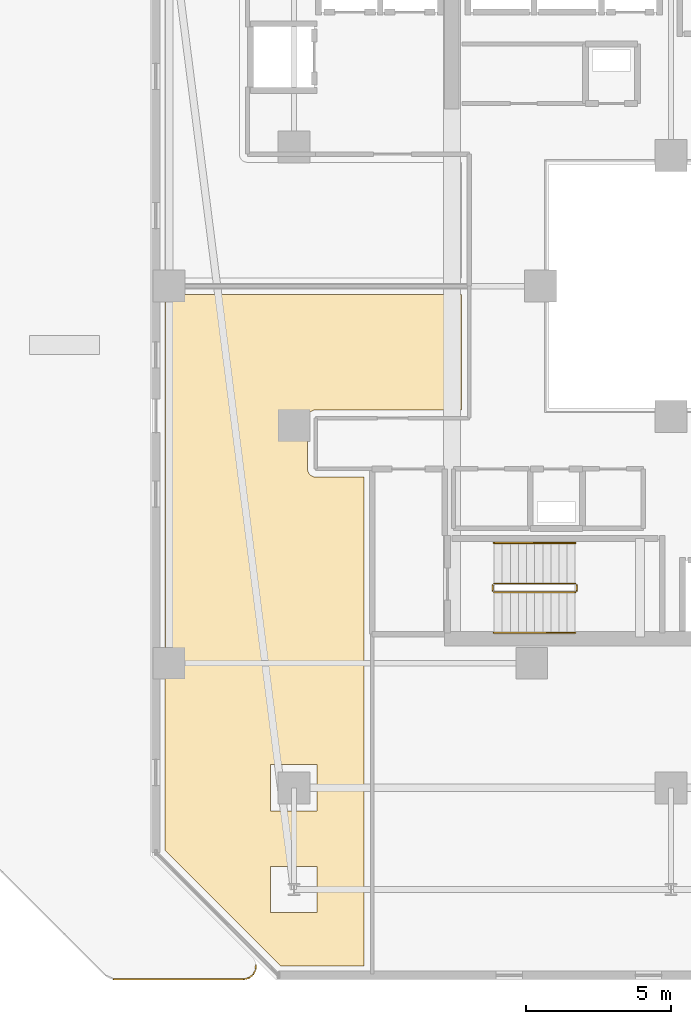
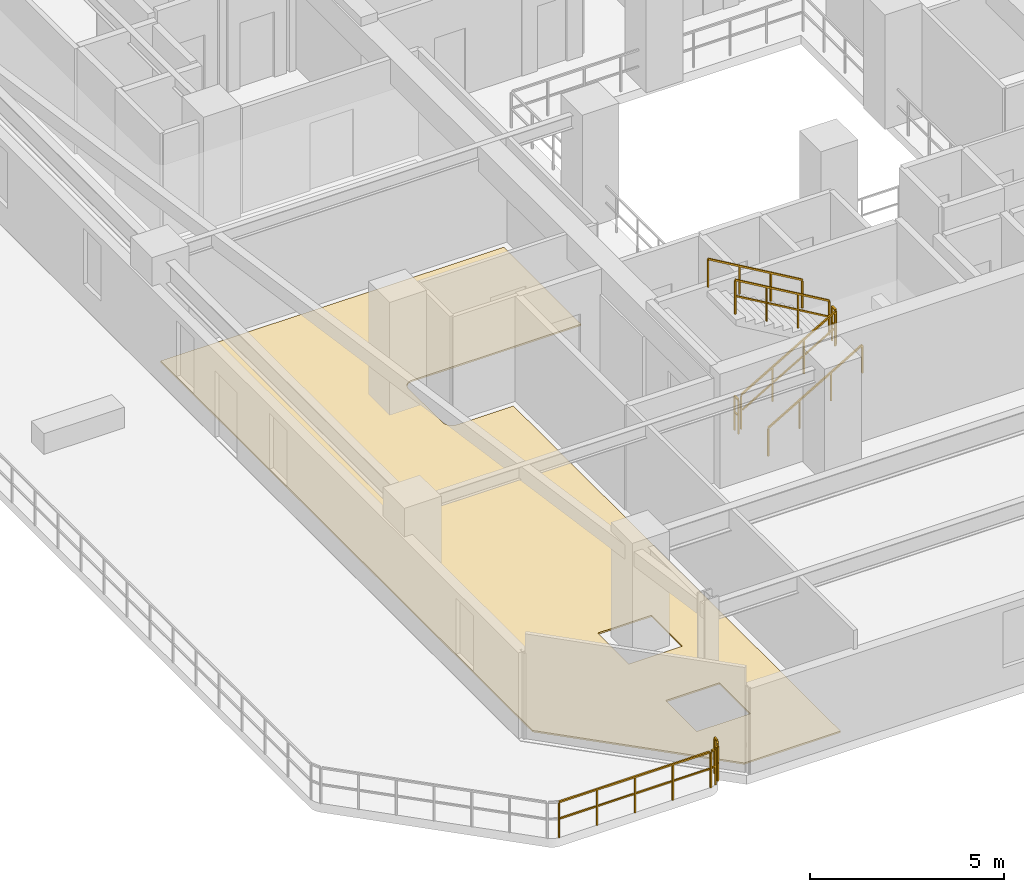
# One storey, part 26 of 30: 7 railings, 1 covering.
"""IFC4 building model written with IfcOpenShell, lengths in metres."""

from ifc_helpers import new_model, si_unit, direction, frame, origin, origin_2d, place, context, subcontext, project, spatial, polyline, rectangle, outline, extrude, material, layer, layer_set, type_object, element, save


model = new_model("IFC4")

# Units and contexts
model_context = context("Model", 3, precision=1e-05, world=origin(), true_north=direction((0.0, 1.0)))
body_context = subcontext(model_context, "Body", "Model", "MODEL_VIEW")
ifc_project = project(units=[si_unit("LENGTHUNIT", "METRE"), si_unit("AREAUNIT", "SQUARE_METRE"), si_unit("VOLUMEUNIT", "CUBIC_METRE"), si_unit("PLANEANGLEUNIT", "RADIAN"), si_unit("MASSUNIT", "GRAM", prefix="KILO")], contexts=[model_context])

# Site, building, storey
site_placement = place(None, origin())
site = spatial("IfcSite", under=ifc_project, at=site_placement, CompositionType="ELEMENT")
building_placement = place(site_placement, origin())
building = spatial("IfcBuilding", under=site, at=building_placement, Name="Thornwick Lancets Civic Towers", CompositionType="ELEMENT")
storey_placement = place(building_placement, frame((0.0, 0.0, 149.10009765625)))
storey = spatial("IfcBuildingStorey", under=building, at=storey_placement, Name="L39", CompositionType="ELEMENT", Elevation=149.10009765625)

# Covering
ifc_material_1 = material(Name="Calcium-sulfate raised access floor panel")
ifc_layer = layer(ifc_material_1, 0.050048828125, Name="Calcium-sulfate raised access floor panel")
ifc_layer_set = layer_set([ifc_layer], Name="Calcium-sulfate raised access floor panel")
covering_type = type_object("IfcCoveringType", Name="COV_FLOOR_RAISED", PredefinedType="FLOORING", material=ifc_layer_set)
covering_placement = place(storey_placement, origin())
element("IfcCovering", 1, at=covering_placement, inside=storey, type_object=covering_type, Name="L39 Tower A Ministry Directorate Office W1 Raised Access Flooring", PredefinedType="FLOORING", context=body_context, shape_type="SweptSolid", body=[
    extrude(outline(polyline([(18.27001953125, 26.719970703125), (18.27001953125, 22.72998046875), (13.25, 22.72998046875), (13.22265625, 22.728759765625), (13.1953125, 22.724609375), (13.168701171875, 22.718017578125), (13.142822265625, 22.708740234375), (13.117919921875, 22.697021484375), (13.094482421875, 22.682861328125), (13.072509765625, 22.66650390625), (13.052001953125, 22.64794921875), (13.03369140625, 22.627685546875), (13.01708984375, 22.605712890625), (13.003173828125, 22.58203125), (12.9912109375, 22.55712890625), (12.982177734375, 22.53125), (12.975341796875, 22.504638671875), (12.97119140625, 22.477294921875), (12.969970703125, 22.449951171875), (12.969970703125, 20.699951171875), (12.97119140625, 20.672607421875), (12.975341796875, 20.6455078125), (12.982177734375, 20.61865234375), (12.9912109375, 20.5927734375), (13.003173828125, 20.568115234375), (13.01708984375, 20.54443359375), (13.03369140625, 20.5224609375), (13.052001953125, 20.501953125), (13.072509765625, 20.483642578125), (13.094482421875, 20.46728515625), (13.117919921875, 20.453125), (13.142822265625, 20.44140625), (13.168701171875, 20.43212890625), (13.1953125, 20.42529296875), (13.22265625, 20.42138671875), (13.25, 20.419921875), (14.919921875, 20.419921875), (14.919921875, 3.56005859375), (12.052490234375, 3.56005859375), (8.06005859375, 7.552490234375), (8.06005859375, 26.719970703125), (18.27001953125, 26.719970703125)]), holes=[polyline([(11.699951171875, 8.89990234375), (13.300048828125, 8.89990234375), (13.300048828125, 10.5), (11.699951171875, 10.5), (11.699951171875, 8.89990234375)]), polyline([(11.699951171875, 5.39990234375), (13.300048828125, 5.39990234375), (13.300048828125, 7.0), (11.699951171875, 7.0), (11.699951171875, 5.39990234375)])]), origin(), (0.0, 0.0, 1.0), 0.0498046875),
])

# Railings
ifc_material_2 = material(Name="Brushed stainless steel S355", Category="steel")
railing_type_1 = type_object("IfcRailingType", Name="RAIL_HANDRAIL", PredefinedType="HANDRAIL", material=ifc_material_2)
railing_1_placement = place(storey_placement, frame((19.39990234375, 15.050048828125, 0.16357421875)))
element("IfcRailing", 2, at=railing_1_placement, inside=storey, type_object=railing_type_1, Name="L39 ST-A1 stair handrail 1", PredefinedType="HANDRAIL", context=body_context, shape_type="SweptSolid", body=[
    extrude(rectangle(XDim=0.048095703125, YDim=0.048095703125, at=origin_2d()), frame((0.0, 0.0, 0.8857421875), z_axis=(0.863393664356, 0.0, 0.504530851732), x_axis=(0.0, 1.0, 0.0)), (0.0, 0.0, 1.0), 3.2431640625),
    extrude(rectangle(XDim=0.0419921875, YDim=0.0419921875, at=origin_2d()), origin(), (0.0, 0.0, 1.0), 0.855712890625),
    extrude(rectangle(XDim=0.0419921875, YDim=0.0419921875, at=origin_2d()), frame((0.933349609375, 0.0, 0.54541015625)), (0.0, 0.0, 1.0), 0.855712890625),
    extrude(rectangle(XDim=0.0419921875, YDim=0.0419921875, at=origin_2d()), frame((1.86669921875, 0.0, 1.0908203125)), (0.0, 0.0, 1.0), 0.855712890625),
    extrude(rectangle(XDim=0.0419921875, YDim=0.0419921875, at=origin_2d()), frame((2.800048828125, 0.0, 1.63623046875)), (0.0, 0.0, 1.0), 0.855712890625),
])
railing_2_placement = place(storey_placement, frame((22.199951171875, 18.14990234375, 1.963623046875)))
element("IfcRailing", 3, at=railing_2_placement, inside=storey, type_object=railing_type_1, Name="L39 ST-A1 stair handrail 2", PredefinedType="HANDRAIL", context=body_context, shape_type="SweptSolid", body=[
    extrude(rectangle(XDim=0.048095703125, YDim=0.048095703125, at=origin_2d()), frame((0.0, 0.0, 0.8857421875), z_axis=(-0.863393664356, 0.0, 0.504530851732), x_axis=(0.0, -1.0, 0.0)), (0.0, 0.0, 1.0), 3.2431640625),
    extrude(rectangle(XDim=0.0419921875, YDim=0.0419921875, at=origin_2d()), origin(), (0.0, 0.0, 1.0), 0.855712890625),
    extrude(rectangle(XDim=0.0419921875, YDim=0.0419921875, at=origin_2d()), frame((-0.933349609375, 0.0, 0.54541015625)), (0.0, 0.0, 1.0), 0.855712890625),
    extrude(rectangle(XDim=0.0419921875, YDim=0.0419921875, at=origin_2d()), frame((-1.86669921875, 0.0, 1.0908203125)), (0.0, 0.0, 1.0), 0.855712890625),
    extrude(rectangle(XDim=0.0419921875, YDim=0.0419921875, at=origin_2d()), frame((-2.800048828125, 0.0, 1.63623046875)), (0.0, 0.0, 1.0), 0.855712890625),
])
ifc_material_3 = material(Name="Steel S355JR", Category="steel")
railing_type_2 = type_object("IfcRailingType", Name="RAIL_STAIR_GUARD", PredefinedType="GUARDRAIL", material=ifc_material_3)
railing_3_placement = place(storey_placement, frame((19.39990234375, 16.449951171875, 0.16357421875)))
element("IfcRailing", 4, at=railing_3_placement, inside=storey, type_object=railing_type_2, Name="L39 ST-A1 stair guard 1", PredefinedType="GUARDRAIL", context=body_context, shape_type="SweptSolid", body=[
    extrude(rectangle(XDim=0.048095703125, YDim=0.048095703125, at=origin_2d()), frame((0.0, 0.0, 1.076171875), z_axis=(0.863393664356, 0.0, 0.504530851732), x_axis=(0.0, 1.0, 0.0)), (0.0, 0.0, 1.0), 3.2431640625),
    extrude(rectangle(XDim=0.0419921875, YDim=0.0419921875, at=origin_2d()), frame((0.032470703125, 0.0, 0.591064453125), z_axis=(0.863393664356, 0.0, 0.504530851732), x_axis=(0.0, 1.0, 0.0)), (0.0, 0.0, 1.0), 1.006103515625),
    extrude(rectangle(XDim=0.0419921875, YDim=0.0419921875, at=origin_2d()), frame((0.9658203125, 0.0, 1.136474609375), z_axis=(0.863393664356, 0.0, 0.504530851732), x_axis=(0.0, 1.0, 0.0)), (0.0, 0.0, 1.0), 1.006103515625),
    extrude(rectangle(XDim=0.0419921875, YDim=0.0419921875, at=origin_2d()), frame((1.899169921875, 0.0, 1.681884765625), z_axis=(0.863393664356, 0.0, 0.504530851732), x_axis=(0.0, 1.0, 0.0)), (0.0, 0.0, 1.0), 1.006103515625),
    extrude(rectangle(XDim=0.0419921875, YDim=0.0419921875, at=origin_2d()), origin(), (0.0, 0.0, 1.0), 1.0458984375),
    extrude(rectangle(XDim=0.0419921875, YDim=0.0419921875, at=origin_2d()), frame((0.933349609375, 0.0, 0.54541015625)), (0.0, 0.0, 1.0), 1.0458984375),
    extrude(rectangle(XDim=0.0419921875, YDim=0.0419921875, at=origin_2d()), frame((1.86669921875, 0.0, 1.0908203125)), (0.0, 0.0, 1.0), 1.0458984375),
    extrude(rectangle(XDim=0.0419921875, YDim=0.0419921875, at=origin_2d()), frame((2.800048828125, 0.0, 1.63623046875)), (0.0, 0.0, 1.0), 1.0458984375),
])
railing_4_placement = place(storey_placement, frame((22.25, 16.5, 1.7998046875)))
element("IfcRailing", 5, at=railing_4_placement, inside=storey, type_object=railing_type_2, Name="L39 ST-A1 stair guard 2", PredefinedType="GUARDRAIL", context=body_context, shape_type="SweptSolid", body=[
    extrude(rectangle(XDim=0.048095703125, YDim=0.048095703125, at=origin_2d()), frame((0.0, 0.0, 1.076171875), z_axis=(0.0, 1.0, 0.0), x_axis=(-1.0, 0.0, 0.0)), (0.0, 0.0, 1.0), 0.199951171875),
    extrude(rectangle(XDim=0.0419921875, YDim=0.0419921875, at=origin_2d()), frame((0.0, 0.03759765625, 0.572021484375), z_axis=(0.0, 1.0, 0.0), x_axis=(-1.0, 0.0, 0.0)), (0.0, 0.0, 1.0), 0.125),
    extrude(rectangle(XDim=0.0419921875, YDim=0.0419921875, at=origin_2d()), origin(), (0.0, 0.0, 1.0), 1.0458984375),
    extrude(rectangle(XDim=0.0419921875, YDim=0.0419921875, at=origin_2d()), frame((0.0, 0.199951171875, 0.0)), (0.0, 0.0, 1.0), 1.0458984375),
])
railing_5_placement = place(storey_placement, frame((22.199951171875, 16.75, 1.963623046875)))
element("IfcRailing", 6, at=railing_5_placement, inside=storey, type_object=railing_type_2, Name="L39 ST-A1 stair guard 3", PredefinedType="GUARDRAIL", context=body_context, shape_type="SweptSolid", body=[
    extrude(rectangle(XDim=0.048095703125, YDim=0.048095703125, at=origin_2d()), frame((0.0, 0.0, 1.076171875), z_axis=(-0.863393664356, 0.0, 0.504530851732), x_axis=(0.0, -1.0, 0.0)), (0.0, 0.0, 1.0), 3.2431640625),
    extrude(rectangle(XDim=0.0419921875, YDim=0.0419921875, at=origin_2d()), frame((-0.032470703125, 0.0, 0.591064453125), z_axis=(-0.863393664356, 0.0, 0.504530851732), x_axis=(0.0, -1.0, 0.0)), (0.0, 0.0, 1.0), 1.006103515625),
    extrude(rectangle(XDim=0.0419921875, YDim=0.0419921875, at=origin_2d()), frame((-0.9658203125, 0.0, 1.136474609375), z_axis=(-0.863393664356, 0.0, 0.504530851732), x_axis=(0.0, -1.0, 0.0)), (0.0, 0.0, 1.0), 1.006103515625),
    extrude(rectangle(XDim=0.0419921875, YDim=0.0419921875, at=origin_2d()), frame((-1.899169921875, 0.0, 1.681884765625), z_axis=(-0.863393664356, 0.0, 0.504530851732), x_axis=(0.0, -1.0, 0.0)), (0.0, 0.0, 1.0), 1.006103515625),
    extrude(rectangle(XDim=0.0419921875, YDim=0.0419921875, at=origin_2d()), origin(), (0.0, 0.0, 1.0), 1.0458984375),
    extrude(rectangle(XDim=0.0419921875, YDim=0.0419921875, at=origin_2d()), frame((-0.933349609375, 0.0, 0.54541015625)), (0.0, 0.0, 1.0), 1.0458984375),
    extrude(rectangle(XDim=0.0419921875, YDim=0.0419921875, at=origin_2d()), frame((-1.86669921875, 0.0, 1.0908203125)), (0.0, 0.0, 1.0), 1.0458984375),
    extrude(rectangle(XDim=0.0419921875, YDim=0.0419921875, at=origin_2d()), frame((-2.800048828125, 0.0, 1.63623046875)), (0.0, 0.0, 1.0), 1.0458984375),
])
railing_6_placement = place(storey_placement, frame((19.35009765625, 16.5, 0.0)))
element("IfcRailing", 7, at=railing_6_placement, inside=storey, type_object=railing_type_2, Name="L39 ST-A1 stair guard 4", PredefinedType="GUARDRAIL", context=body_context, shape_type="SweptSolid", body=[
    extrude(rectangle(XDim=0.048095703125, YDim=0.048095703125, at=origin_2d()), frame((0.0, 0.0, 1.076171875), z_axis=(0.0, 1.0, 0.0), x_axis=(-1.0, 0.0, 0.0)), (0.0, 0.0, 1.0), 0.199951171875),
    extrude(rectangle(XDim=0.0419921875, YDim=0.0419921875, at=origin_2d()), frame((0.0, 0.03759765625, 0.572021484375), z_axis=(0.0, 1.0, 0.0), x_axis=(-1.0, 0.0, 0.0)), (0.0, 0.0, 1.0), 0.125),
    extrude(rectangle(XDim=0.0419921875, YDim=0.0419921875, at=origin_2d()), origin(), (0.0, 0.0, 1.0), 1.0458984375),
    extrude(rectangle(XDim=0.0419921875, YDim=0.0419921875, at=origin_2d()), frame((0.0, 0.199951171875, 0.0)), (0.0, 0.0, 1.0), 1.0458984375),
])
ifc_material_4 = material(Name="Terracotta-capped laminated glass balustrade S355", Category="masonry")
railing_type_3 = type_object("IfcRailingType", Name="RAIL_TERR_GUARD", PredefinedType="GUARDRAIL", material=ifc_material_4)
railing_7_placement = place(storey_placement, frame((11.194580078125, 3.59765625, 0.0)))
element("IfcRailing", 8, at=railing_7_placement, inside=storey, type_object=railing_type_3, Name="L39 Tower A Sky-Garden Guard 1 Part 2", PredefinedType="GUARDRAIL", context=body_context, shape_type="SweptSolid", body=[
    extrude(rectangle(XDim=0.048095703125, YDim=0.048095703125, at=origin_2d()), frame((0.0, 0.0, 1.1259765625), z_axis=(-0.092749159512, -0.995689506528, 0.0), x_axis=(0.995689506528, -0.092749159512, 0.0)), (0.0, 0.0, 1.0), 0.147705078125),
    extrude(rectangle(XDim=0.0419921875, YDim=0.0419921875, at=origin_2d()), frame((-0.00341796875, -0.037353515625, 0.597900390625), z_axis=(-0.092749159512, -0.995689506528, 0.0), x_axis=(0.995689506528, -0.092749159512, 0.0)), (0.0, 0.0, 1.0), 0.10400390625),
    extrude(rectangle(XDim=0.048095703125, YDim=0.048095703125, at=origin_2d()), frame((-0.03125, -0.205810546875, 1.1259765625), z_axis=(-0.470948722639, -0.882160586654, 0.0), x_axis=(0.882160586654, -0.470948722639, 0.0)), (0.0, 0.0, 1.0), 0.11328125),
    extrude(rectangle(XDim=0.0419921875, YDim=0.0419921875, at=origin_2d()), frame((-0.0341796875, -0.211181640625, 0.597900390625), z_axis=(-0.470948722639, -0.882160586654, 0.0), x_axis=(0.882160586654, -0.470948722639, 0.0)), (0.0, 0.0, 1.0), 0.100830078125),
    extrude(rectangle(XDim=0.048095703125, YDim=0.048095703125, at=origin_2d()), frame((-0.12353515625, -0.35302734375, 1.1259765625), z_axis=(-0.773213238462, -0.634146109242, 0.0), x_axis=(0.634146109242, -0.773213238462, 0.0)), (0.0, 0.0, 1.0), 0.113037109375),
    extrude(rectangle(XDim=0.0419921875, YDim=0.0419921875, at=origin_2d()), frame((-0.12841796875, -0.35693359375, 0.597900390625), z_axis=(-0.773213238462, -0.634146109242, 0.0), x_axis=(0.634146109242, -0.773213238462, 0.0)), (0.0, 0.0, 1.0), 0.1005859375),
    extrude(rectangle(XDim=0.048095703125, YDim=0.048095703125, at=origin_2d()), frame((-0.26513671875, -0.45361328125, 1.1259765625), z_axis=(-0.957211427299, -0.289389501276, 0.0), x_axis=(0.289389501276, -0.957211427299, 0.0)), (0.0, 0.0, 1.0), 0.113037109375),
    extrude(rectangle(XDim=0.0419921875, YDim=0.0419921875, at=origin_2d()), frame((-0.27099609375, -0.455322265625, 0.597900390625), z_axis=(-0.957211427299, -0.289389501276, 0.0), x_axis=(0.289389501276, -0.957211427299, 0.0)), (0.0, 0.0, 1.0), 0.1005859375),
    extrude(rectangle(XDim=0.048095703125, YDim=0.048095703125, at=origin_2d()), frame((-0.434326171875, -0.495361328125, 1.1259765625), z_axis=(-1.0, 0.0, 0.0), x_axis=(0.0, -1.0, 0.0)), (0.0, 0.0, 1.0), 4.47998046875),
    extrude(rectangle(XDim=0.0419921875, YDim=0.0419921875, at=origin_2d()), frame((-0.440673828125, -0.495361328125, 0.597900390625), z_axis=(-1.0, 0.0, 0.0), x_axis=(0.0, -1.0, 0.0)), (0.0, 0.0, 1.0), 1.052734375),
    extrude(rectangle(XDim=0.0419921875, YDim=0.0419921875, at=origin_2d()), frame((-1.568359375, -0.495361328125, 0.597900390625), z_axis=(-1.0, 0.0, 0.0), x_axis=(0.0, -1.0, 0.0)), (0.0, 0.0, 1.0), 1.052734375),
    extrude(rectangle(XDim=0.0419921875, YDim=0.0419921875, at=origin_2d()), frame((-2.6962890625, -0.495361328125, 0.597900390625), z_axis=(-1.0, 0.0, 0.0), x_axis=(0.0, -1.0, 0.0)), (0.0, 0.0, 1.0), 1.052734375),
    extrude(rectangle(XDim=0.0419921875, YDim=0.0419921875, at=origin_2d()), frame((-3.823974609375, -0.495361328125, 0.597900390625), z_axis=(-1.0, 0.0, 0.0), x_axis=(0.0, -1.0, 0.0)), (0.0, 0.0, 1.0), 1.052734375),
    extrude(rectangle(XDim=0.0419921875, YDim=0.0419921875, at=origin_2d()), origin(), (0.0, 0.0, 1.0), 1.095703125),
    extrude(rectangle(XDim=0.0419921875, YDim=0.0419921875, at=origin_2d()), frame((-0.0166015625, -0.17822265625, 0.0)), (0.0, 0.0, 1.0), 1.095703125),
    extrude(rectangle(XDim=0.0419921875, YDim=0.0419921875, at=origin_2d()), frame((-0.099365234375, -0.333251953125, 0.0)), (0.0, 0.0, 1.0), 1.095703125),
    extrude(rectangle(XDim=0.0419921875, YDim=0.0419921875, at=origin_2d()), frame((-0.235107421875, -0.444580078125, 0.0)), (0.0, 0.0, 1.0), 1.095703125),
    extrude(rectangle(XDim=0.0419921875, YDim=0.0419921875, at=origin_2d()), frame((-0.403076171875, -0.495361328125, 0.0)), (0.0, 0.0, 1.0), 1.095703125),
    extrude(rectangle(XDim=0.0419921875, YDim=0.0419921875, at=origin_2d()), frame((-1.53076171875, -0.495361328125, 0.0)), (0.0, 0.0, 1.0), 1.095703125),
    extrude(rectangle(XDim=0.0419921875, YDim=0.0419921875, at=origin_2d()), frame((-2.65869140625, -0.495361328125, 0.0)), (0.0, 0.0, 1.0), 1.095703125),
    extrude(rectangle(XDim=0.0419921875, YDim=0.0419921875, at=origin_2d()), frame((-3.78662109375, -0.495361328125, 0.0)), (0.0, 0.0, 1.0), 1.095703125),
    extrude(rectangle(XDim=0.0419921875, YDim=0.0419921875, at=origin_2d()), frame((-4.914306640625, -0.495361328125, 0.0)), (0.0, 0.0, 1.0), 1.095703125),
])

save(model, "model.ifc")
